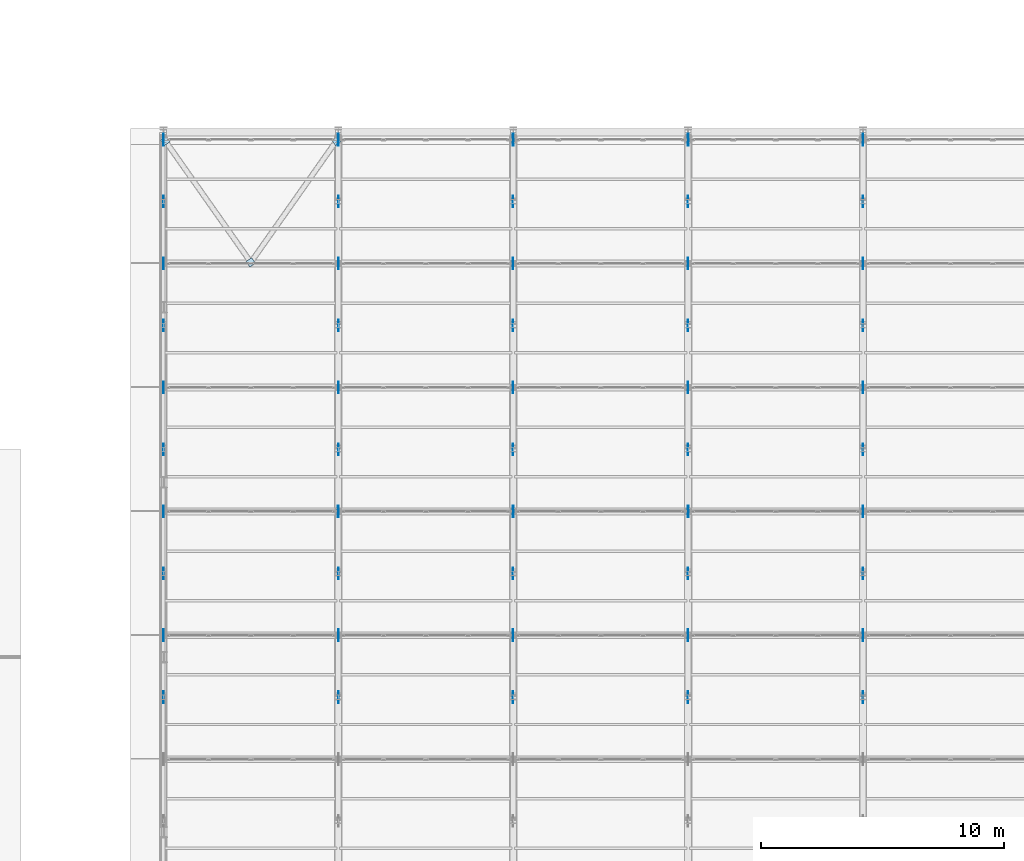
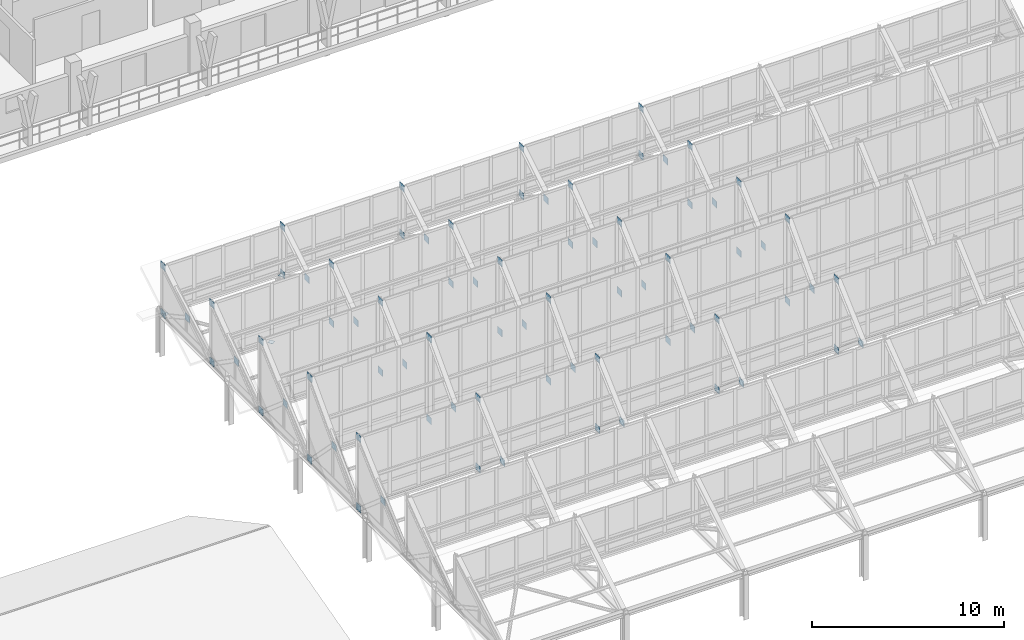
# One storey, part 110 of 157: 78 plates.
"""IFC4 building model written with IfcOpenShell, lengths in metres."""

from ifc_helpers import new_model, si_unit, direction, frame, origin, origin_2d, place, context, subcontext, project, spatial, rectangle, extrude, material, layer, layer_set, type_object, element, save


model = new_model("IFC4")

# Units and contexts
model_context = context("Model", 3, precision=1e-05, world=origin(), true_north=direction((0.0, 1.0)))
body_context = subcontext(model_context, "Body", "Model", "MODEL_VIEW")
ifc_project = project(units=[si_unit("LENGTHUNIT", "METRE"), si_unit("AREAUNIT", "SQUARE_METRE"), si_unit("VOLUMEUNIT", "CUBIC_METRE"), si_unit("PLANEANGLEUNIT", "RADIAN"), si_unit("MASSUNIT", "GRAM", prefix="KILO")], contexts=[model_context])

# Site, building, storey
site_placement = place(None, origin())
site = spatial("IfcSite", under=ifc_project, at=site_placement, CompositionType="ELEMENT")
building_placement = place(site_placement, origin())
building = spatial("IfcBuilding", under=site, at=building_placement, Name="Suanplinth Sawtooth Commons", CompositionType="ELEMENT")
storey_placement = place(building_placement, frame((0.0, 0.0, 9.0)))
storey = spatial("IfcBuildingStorey", under=building, at=storey_placement, Name="L02", CompositionType="ELEMENT", Elevation=9.0)

# Plates
ifc_material = material(Name="Steel S355JR", Category="steel")
ifc_layer_1 = layer(ifc_material, 0.02001953125, Name="Sawtooth truss chord gusset plate 20mm")
ifc_layer_set_1 = layer_set([ifc_layer_1], Name="Steel S355JR")
plate_type_1 = type_object("IfcPlateType", Name="PL-01", PredefinedType="USERDEFINED", material=ifc_layer_set_1)
for number, where, z_axis, x_axis, name in (
    (1, (64.800048828125, 65.699951171875, 7.02001953125), (0.0, 0.0, 1.0), (1.0, 0.0, 0.0), "Truss T1 Crest Gusset 3"),
    (2, (64.800048828125, 63.14990234375, 4.53515625), (0.0, 0.0, 1.0), (1.0, 0.0, 0.0), "Truss T1 Mid-Chord Gusset 3"),
    (3, (64.800048828125, 65.699951171875, 2.56005859375), (0.0, 0.0, 1.0), (1.0, 0.0, 0.0), "Truss T1 Valley Gusset 3"),
    (4, (64.800048828125, 68.25, 4.91015625), (0.0, 0.0, 1.0), (1.0, 0.0, 0.0), "Truss T1 Mid-Chord Gusset 4"),
    (5, (64.800048828125, 70.800048828125, 2.56005859375), (0.0, 0.0, 1.0), (1.0, 0.0, 0.0), "Truss T1 Valley Gusset 4"),
    (6, (64.800048828125, 75.89990234375, 7.02001953125), (0.0, 0.0, 1.0), (1.0, 0.0, 0.0), "Truss T1 Crest Gusset 5"),
    (7, (64.800048828125, 73.35009765625, 4.53515625), (0.0, 0.0, 1.0), (1.0, 0.0, 0.0), "Truss T1 Mid-Chord Gusset 5"),
    (8, (64.800048828125, 75.89990234375, 2.56005859375), (0.0, 0.0, 1.0), (1.0, 0.0, 0.0), "Truss T1 Valley Gusset 5"),
    (9, (64.800048828125, 81.0, 6.27001953125), (0.0, 0.0, 1.0), (1.0, 0.0, 0.0), "Truss T1 Crest Gusset 6"),
    (10, (64.800048828125, 78.449951171875, 4.16015625), (0.0, 0.0, 1.0), (1.0, 0.0, 0.0), "Truss T1 Mid-Chord Gusset 6"),
    (11, (64.800048828125, 81.0, 2.56005859375), (0.0, 0.0, 1.0), (1.0, 0.0, 0.0), "Truss T1 Valley Gusset 6"),
    (12, (64.800048828125, 83.550048828125, 3.81005859375), (0.0, 0.0, 1.0), (1.0, 0.0, 0.0), "Truss T1 Mid-Chord Gusset 7"),
    (13, (64.800048828125, 86.10009765625, 2.56005859375), (0.0, 0.0, 1.0), (1.0, 0.0, 0.0), "Truss T1 Valley Gusset 7"),
    (14, (72.0, 65.699951171875, 7.02001953125), (0.0, 0.0, 1.0), (1.0, 0.0, 0.0), "Truss T2 Crest Gusset 3"),
    (15, (72.0, 63.14990234375, 4.53515625), (0.0, 0.0, 1.0), (1.0, 0.0, 0.0), "Truss T2 Mid-Chord Gusset 3"),
    (16, (72.0, 65.699951171875, 2.56005859375), (0.0, 0.0, 1.0), (1.0, 0.0, 0.0), "Truss T2 Valley Gusset 3"),
    (17, (72.0, 68.25, 4.91015625), (0.0, 0.0, 1.0), (1.0, 0.0, 0.0), "Truss T2 Mid-Chord Gusset 4"),
    (18, (72.0, 70.800048828125, 2.56005859375), (0.0, 0.0, 1.0), (1.0, 0.0, 0.0), "Truss T2 Valley Gusset 4"),
    (19, (72.0, 75.89990234375, 7.02001953125), (0.0, 0.0, 1.0), (1.0, 0.0, 0.0), "Truss T2 Crest Gusset 5"),
    (20, (72.0, 73.35009765625, 4.53515625), (0.0, 0.0, 1.0), (1.0, 0.0, 0.0), "Truss T2 Mid-Chord Gusset 5"),
    (21, (72.0, 75.89990234375, 2.56005859375), (0.0, 0.0, 1.0), (1.0, 0.0, 0.0), "Truss T2 Valley Gusset 5"),
    (22, (72.0, 81.0, 6.27001953125), (0.0, 0.0, 1.0), (1.0, 0.0, 0.0), "Truss T2 Crest Gusset 6"),
    (23, (72.0, 78.449951171875, 4.16015625), (0.0, 0.0, 1.0), (1.0, 0.0, 0.0), "Truss T2 Mid-Chord Gusset 6"),
    (24, (72.0, 81.0, 2.56005859375), (0.0, 0.0, 1.0), (1.0, 0.0, 0.0), "Truss T2 Valley Gusset 6"),
    (25, (72.0, 83.550048828125, 3.81005859375), (0.0, 0.0, 1.0), (1.0, 0.0, 0.0), "Truss T2 Mid-Chord Gusset 7"),
    (26, (72.0, 86.10009765625, 2.56005859375), (0.0, 0.0, 1.0), (1.0, 0.0, 0.0), "Truss T2 Valley Gusset 7"),
    (27, (79.199951171875, 65.699951171875, 7.02001953125), (0.0, 0.0, 1.0), (1.0, 0.0, 0.0), "Truss T3 Crest Gusset 3"),
    (28, (79.199951171875, 63.14990234375, 4.53515625), (0.0, 0.0, 1.0), (1.0, 0.0, 0.0), "Truss T3 Mid-Chord Gusset 3"),
    (29, (79.199951171875, 65.699951171875, 2.56005859375), (0.0, 0.0, 1.0), (1.0, 0.0, 0.0), "Truss T3 Valley Gusset 3"),
    (30, (79.199951171875, 68.25, 4.91015625), (0.0, 0.0, 1.0), (1.0, 0.0, 0.0), "Truss T3 Mid-Chord Gusset 4"),
    (31, (79.199951171875, 70.800048828125, 2.56005859375), (0.0, 0.0, 1.0), (1.0, 0.0, 0.0), "Truss T3 Valley Gusset 4"),
    (32, (79.199951171875, 75.89990234375, 7.02001953125), (0.0, 0.0, 1.0), (1.0, 0.0, 0.0), "Truss T3 Crest Gusset 5"),
    (33, (79.199951171875, 73.35009765625, 4.53515625), (0.0, 0.0, 1.0), (1.0, 0.0, 0.0), "Truss T3 Mid-Chord Gusset 5"),
    (34, (79.199951171875, 75.89990234375, 2.56005859375), (0.0, 0.0, 1.0), (1.0, 0.0, 0.0), "Truss T3 Valley Gusset 5"),
    (35, (79.199951171875, 81.0, 6.27001953125), (0.0, 0.0, 1.0), (1.0, 0.0, 0.0), "Truss T3 Crest Gusset 6"),
    (36, (79.199951171875, 78.449951171875, 4.16015625), (0.0, 0.0, 1.0), (1.0, 0.0, 0.0), "Truss T3 Mid-Chord Gusset 6"),
    (37, (79.199951171875, 81.0, 2.56005859375), (0.0, 0.0, 1.0), (1.0, 0.0, 0.0), "Truss T3 Valley Gusset 6"),
    (38, (79.199951171875, 83.550048828125, 3.81005859375), (0.0, 0.0, 1.0), (1.0, 0.0, 0.0), "Truss T3 Mid-Chord Gusset 7"),
    (39, (79.199951171875, 86.10009765625, 2.56005859375), (0.0, 0.0, 1.0), (1.0, 0.0, 0.0), "Truss T3 Valley Gusset 7"),
    (40, (86.39990234375, 65.699951171875, 7.02001953125), (0.0, 0.0, 1.0), (1.0, 0.0, 0.0), "Truss T4 Crest Gusset 3"),
    (41, (86.39990234375, 63.14990234375, 4.53515625), (0.0, 0.0, 1.0), (1.0, 0.0, 0.0), "Truss T4 Mid-Chord Gusset 3"),
    (42, (86.39990234375, 65.699951171875, 2.56005859375), (0.0, 0.0, 1.0), (1.0, 0.0, 0.0), "Truss T4 Valley Gusset 3"),
    (43, (86.39990234375, 68.25, 4.91015625), (0.0, 0.0, 1.0), (1.0, 0.0, 0.0), "Truss T4 Mid-Chord Gusset 4"),
    (44, (86.39990234375, 70.800048828125, 2.56005859375), (0.0, 0.0, 1.0), (1.0, 0.0, 0.0), "Truss T4 Valley Gusset 4"),
    (45, (86.39990234375, 75.89990234375, 7.02001953125), (0.0, 0.0, 1.0), (1.0, 0.0, 0.0), "Truss T4 Crest Gusset 5"),
    (46, (86.39990234375, 73.35009765625, 4.53515625), (0.0, 0.0, 1.0), (1.0, 0.0, 0.0), "Truss T4 Mid-Chord Gusset 5"),
    (47, (86.39990234375, 75.89990234375, 2.56005859375), (0.0, 0.0, 1.0), (1.0, 0.0, 0.0), "Truss T4 Valley Gusset 5"),
    (48, (86.39990234375, 81.0, 6.27001953125), (0.0, 0.0, 1.0), (1.0, 0.0, 0.0), "Truss T4 Crest Gusset 6"),
    (49, (86.39990234375, 78.449951171875, 4.16015625), (0.0, 0.0, 1.0), (1.0, 0.0, 0.0), "Truss T4 Mid-Chord Gusset 6"),
    (50, (86.39990234375, 81.0, 2.56005859375), (0.0, 0.0, 1.0), (1.0, 0.0, 0.0), "Truss T4 Valley Gusset 6"),
    (51, (86.39990234375, 83.550048828125, 3.81005859375), (0.0, 0.0, 1.0), (1.0, 0.0, 0.0), "Truss T4 Mid-Chord Gusset 7"),
    (52, (86.39990234375, 86.10009765625, 2.56005859375), (0.0, 0.0, 1.0), (1.0, 0.0, 0.0), "Truss T4 Valley Gusset 7"),
    (53, (93.60009765625, 65.699951171875, 7.02001953125), (0.0, 0.0, 1.0), (1.0, 0.0, 0.0), "Truss T5 Crest Gusset 3"),
    (54, (93.60009765625, 63.14990234375, 4.53515625), (0.0, 0.0, 1.0), (1.0, 0.0, 0.0), "Truss T5 Mid-Chord Gusset 3"),
    (55, (93.60009765625, 65.699951171875, 2.56005859375), (0.0, 0.0, 1.0), (1.0, 0.0, 0.0), "Truss T5 Valley Gusset 3"),
    (56, (93.60009765625, 68.25, 4.91015625), (0.0, 0.0, 1.0), (1.0, 0.0, 0.0), "Truss T5 Mid-Chord Gusset 4"),
    (57, (93.60009765625, 70.800048828125, 2.56005859375), (0.0, 0.0, 1.0), (1.0, 0.0, 0.0), "Truss T5 Valley Gusset 4"),
    (58, (93.60009765625, 75.89990234375, 7.02001953125), (0.0, 0.0, 1.0), (1.0, 0.0, 0.0), "Truss T5 Crest Gusset 5"),
    (59, (93.60009765625, 73.35009765625, 4.53515625), (0.0, 0.0, 1.0), (1.0, 0.0, 0.0), "Truss T5 Mid-Chord Gusset 5"),
    (60, (93.60009765625, 75.89990234375, 2.56005859375), (0.0, 0.0, 1.0), (1.0, 0.0, 0.0), "Truss T5 Valley Gusset 5"),
    (61, (93.60009765625, 81.0, 6.27001953125), (0.0, 0.0, 1.0), (1.0, 0.0, 0.0), "Truss T5 Crest Gusset 6"),
    (62, (93.60009765625, 78.449951171875, 4.16015625), (0.0, 0.0, 1.0), (1.0, 0.0, 0.0), "Truss T5 Mid-Chord Gusset 6"),
    (63, (93.60009765625, 81.0, 2.56005859375), (0.0, 0.0, 1.0), (1.0, 0.0, 0.0), "Truss T5 Valley Gusset 6"),
    (64, (93.60009765625, 83.550048828125, 3.81005859375), (0.0, 0.0, 1.0), (1.0, 0.0, 0.0), "Truss T5 Mid-Chord Gusset 7"),
    (65, (93.60009765625, 86.10009765625, 2.56005859375), (0.0, 0.0, 1.0), (1.0, 0.0, 0.0), "Truss T5 Valley Gusset 7"),
):
    element("IfcPlate", number, at=place(storey_placement, frame(where, z_axis=z_axis, x_axis=x_axis)), inside=storey, type_object=plate_type_1, Name=name, ObjectType="GUSSET PLATE", PredefinedType="USERDEFINED", context=body_context, shape_type="SweptSolid", body=[
        extrude(rectangle(XDim=0.02001953125, YDim=0.47998046875, at=origin_2d()), origin(), (0.0, 0.0, 1.0), 0.419921875),
    ])
ifc_layer_2 = layer(ifc_material, 0.030029296875, Name="Sawtooth truss support bearing gusset plate 30mm")
ifc_layer_set_2 = layer_set([ifc_layer_2], Name="Steel S355JR")
plate_type_2 = type_object("IfcPlateType", Name="PL-02", PredefinedType="USERDEFINED", material=ifc_layer_set_2)
for number, where, z_axis, x_axis, name in (
    (66, (64.800048828125, 70.800048828125, 7.77001953125), (0.0, 0.0, 1.0), (1.0, 0.0, 0.0), "Truss T1 Crest Gusset 4"),
    (67, (64.800048828125, 86.10009765625, 5.570068359375), (0.0, 0.0, 1.0), (1.0, 0.0, 0.0), "Truss T1 Crest Gusset 7"),
    (68, (72.0, 70.800048828125, 7.77001953125), (0.0, 0.0, 1.0), (1.0, 0.0, 0.0), "Truss T2 Crest Gusset 4"),
    (69, (72.0, 86.10009765625, 5.570068359375), (0.0, 0.0, 1.0), (1.0, 0.0, 0.0), "Truss T2 Crest Gusset 7"),
    (70, (79.199951171875, 70.800048828125, 7.77001953125), (0.0, 0.0, 1.0), (1.0, 0.0, 0.0), "Truss T3 Crest Gusset 4"),
    (71, (79.199951171875, 86.10009765625, 5.570068359375), (0.0, 0.0, 1.0), (1.0, 0.0, 0.0), "Truss T3 Crest Gusset 7"),
    (72, (86.39990234375, 70.800048828125, 7.77001953125), (0.0, 0.0, 1.0), (1.0, 0.0, 0.0), "Truss T4 Crest Gusset 4"),
    (73, (86.39990234375, 86.10009765625, 5.570068359375), (0.0, 0.0, 1.0), (1.0, 0.0, 0.0), "Truss T4 Crest Gusset 7"),
    (74, (93.60009765625, 70.800048828125, 7.77001953125), (0.0, 0.0, 1.0), (1.0, 0.0, 0.0), "Truss T5 Crest Gusset 4"),
    (75, (93.60009765625, 86.10009765625, 5.570068359375), (0.0, 0.0, 1.0), (1.0, 0.0, 0.0), "Truss T5 Crest Gusset 7"),
):
    element("IfcPlate", number, at=place(storey_placement, frame(where, z_axis=z_axis, x_axis=x_axis)), inside=storey, type_object=plate_type_2, Name=name, ObjectType="GUSSET PLATE", PredefinedType="USERDEFINED", context=body_context, shape_type="SweptSolid", body=[
        extrude(rectangle(XDim=0.030029296875, YDim=0.47998046875, at=origin_2d()), origin(), (0.0, 0.0, 1.0), 0.419921875),
    ])
ifc_layer_3 = layer(ifc_material, 0.011962890625, Name="Tubular steel end-cap seal plate 12mm")
ifc_layer_set_3 = layer_set([ifc_layer_3], Name="Steel S355JR")
plate_type_3 = type_object("IfcPlateType", Name="PL-03", PredefinedType="USERDEFINED", material=ifc_layer_set_3)
for number, where, z_axis, x_axis, name in (
    (76, (64.8798828125, 86.050048828125, 2.744140625), (0.0, 0.0, 1.0), (0.819152044289, 0.573576436351, 0.0), "Tubular Brace End Cap Plate 1-3-1"),
    (77, (68.39990234375, 81.050048828125, 2.744140625), (0.0, 0.0, 1.0), (0.819152044289, 0.573576436351, 0.0), "Tubular Brace End Cap Plate 1-3-2"),
    (78, (71.919921875, 86.050048828125, 2.744140625), (0.0, 0.0, 1.0), (0.819152044289, 0.573576436351, 0.0), "Tubular Brace End Cap Plate 1-4-1"),
):
    element("IfcPlate", number, at=place(storey_placement, frame(where, z_axis=z_axis, x_axis=x_axis)), inside=storey, type_object=plate_type_3, Name=name, ObjectType="GUSSET PLATE", PredefinedType="USERDEFINED", context=body_context, shape_type="SweptSolid", body=[
        extrude(rectangle(XDim=0.280029296875, YDim=0.280029296875, at=origin_2d()), origin(), (0.0, 0.0, 1.0), 0.011962890625),
    ])

save(model, "model.ifc")
